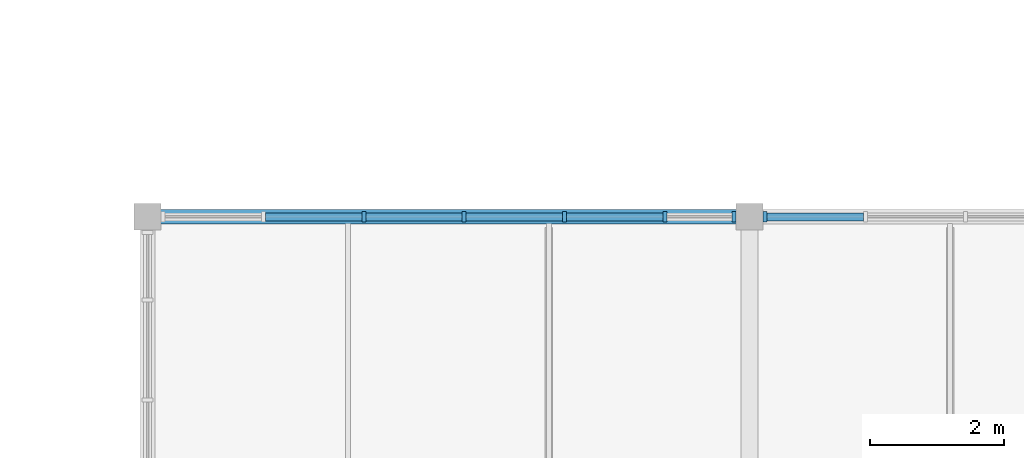
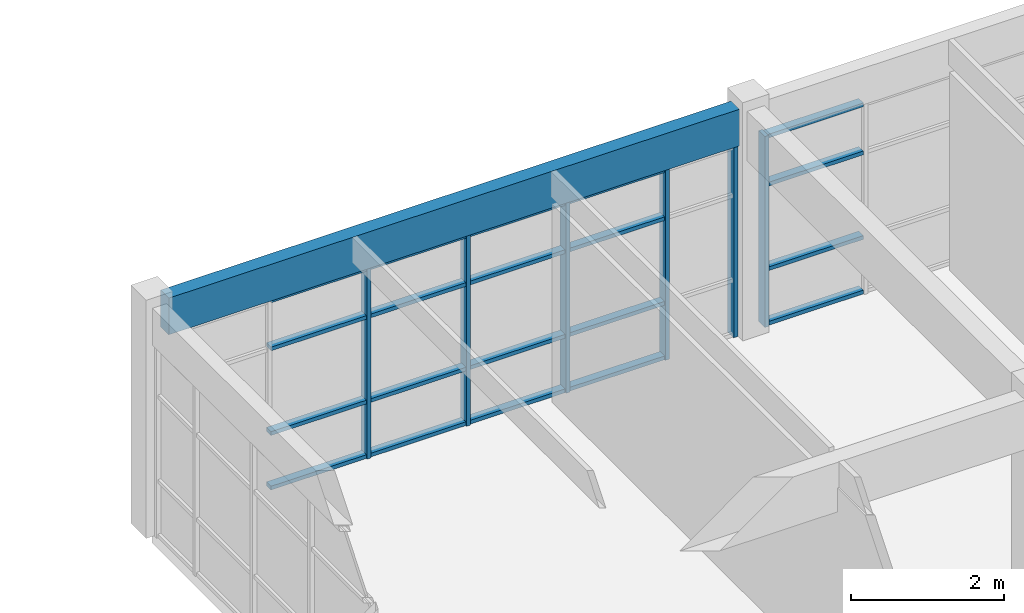
# One storey, part 29 of 81: 26 members, 1 beam, 2 elements without a shape of their own.
"""IFC4 building model written with IfcOpenShell, lengths in metres."""

from ifc_helpers import new_model, si_unit, direction, frame, origin, origin_2d, place, context, subcontext, project, spatial, rectangle, extrude, material, layer, layer_set, material_profile, profile_set, type_object, element, aggregate, save


model = new_model("IFC4")

# Units and contexts
model_context = context("Model", 3, precision=1e-05, world=origin(), true_north=direction((0.0, 1.0)))
body_context = subcontext(model_context, "Body", "Model", "MODEL_VIEW")
ifc_project = project(units=[si_unit("LENGTHUNIT", "METRE"), si_unit("AREAUNIT", "SQUARE_METRE"), si_unit("VOLUMEUNIT", "CUBIC_METRE"), si_unit("PLANEANGLEUNIT", "RADIAN"), si_unit("MASSUNIT", "GRAM", prefix="KILO")], contexts=[model_context])

# Site, building, storey
site_placement = place(None, origin())
site = spatial("IfcSite", under=ifc_project, at=site_placement, CompositionType="ELEMENT")
building_placement = place(site_placement, origin())
building = spatial("IfcBuilding", under=site, at=building_placement, Name="Marnridge Secondary College", CompositionType="ELEMENT")
storey_placement = place(building_placement, frame((0.0, 0.0, 8.5)))
storey = spatial("IfcBuildingStorey", under=building, at=storey_placement, Name="L02", CompositionType="ELEMENT", Elevation=8.5)

# Beam
ifc_material_1 = material(Name="Glulam timber GL18", Category="wood")
ifc_material_profile_1 = material_profile(ifc_material_1, rectangle(XDim=0.215087890625, YDim=0.5849609375, at=origin_2d()), Name="GL18 215x585")
ifc_profile_set_1 = profile_set([ifc_material_profile_1], Name="Glulam timber GL18")
beam_type = type_object("IfcBeamType", Name="BM-GL585-EXT", PredefinedType="SPANDREL", material=ifc_profile_set_1)
beam_placement = place(storey_placement, frame((54.194091796875, 82.5, 3.347412109375), z_axis=(1.0, 0.0, 0.0), x_axis=(0.0, 1.0, 0.0)))
element("IfcBeam", 1, at=beam_placement, inside=storey, type_object=beam_type, Name="Beam BS-L02-0805", PredefinedType="SPANDREL", context=body_context, shape_type="SweptSolid", body=[
    extrude(rectangle(XDim=0.215087890625, YDim=0.5849609375, at=origin_2d()), origin(), (0.0, 0.0, 1.0), 8.61181640625),
])

# Curtain wall, members
ifc_material_2 = material(Name="Thermally broken aluminium and low-E glazing", Category="aluminium")
ifc_layer = layer(ifc_material_2, 0.159912109375)
ifc_layer_set = layer_set([ifc_layer], Name="CW-MOD-1500")
curtain_wall_type = type_object("IfcCurtainWallType", Name="CW-MOD-1500", PredefinedType="NOTDEFINED", material=ifc_layer_set)
curtain_wall_1_placement = place(storey_placement, origin())
curtain_wall_1 = element("IfcCurtainWall", 2, at=curtain_wall_1_placement, inside=storey, type_object=curtain_wall_type, Name="Unitised curtain wall CW-L02-073", PredefinedType="NOTDEFINED")
ifc_material_3 = material(Name="Anodised aluminium 6063-T6", Category="aluminium")
ifc_material_profile_2 = material_profile(ifc_material_3, rectangle(XDim=0.06005859375, YDim=0.159912109375, at=origin_2d()), Name="ALU 60x160")
ifc_profile_set_2 = profile_set([ifc_material_profile_2], Name="Anodised aluminium 6063-T6")
member_type_1 = type_object("IfcMemberType", Name="CWM-ALU160", PredefinedType="MULLION", material=ifc_profile_set_2)
member_1_placement = place(storey_placement, frame((57.23388671875, 82.5, 0.0), z_axis=(0.0, 0.0, 1.0), x_axis=(1.0, 0.0, 0.0)))
member_1 = element("IfcMember", 3, at=member_1_placement, type_object=member_type_1, Name="CW-L02-073 mullion 3", PredefinedType="MULLION", context=body_context, shape_type="SweptSolid", body=[
    extrude(rectangle(XDim=0.06005859375, YDim=0.159912109375, at=origin_2d()), origin(), (0.0, 0.0, 1.0), 3.047119140625),
])
member_2_placement = place(storey_placement, frame((58.73388671875, 82.5, 0.0), z_axis=(0.0, 0.0, 1.0), x_axis=(1.0, 0.0, 0.0)))
member_2 = element("IfcMember", 4, at=member_2_placement, type_object=member_type_1, Name="CW-L02-073 mullion 4", PredefinedType="MULLION", context=body_context, shape_type="SweptSolid", body=[
    extrude(rectangle(XDim=0.06005859375, YDim=0.159912109375, at=origin_2d()), origin(), (0.0, 0.0, 1.0), 3.047119140625),
])
member_3_placement = place(storey_placement, frame((60.23388671875, 82.5, 0.0), z_axis=(0.0, 0.0, 1.0), x_axis=(1.0, 0.0, 0.0)))
member_3 = element("IfcMember", 5, at=member_3_placement, type_object=member_type_1, Name="CW-L02-073 mullion 5", PredefinedType="MULLION", context=body_context, shape_type="SweptSolid", body=[
    extrude(rectangle(XDim=0.06005859375, YDim=0.159912109375, at=origin_2d()), origin(), (0.0, 0.0, 1.0), 3.047119140625),
])
member_4_placement = place(storey_placement, frame((61.73388671875, 82.5, 0.0), z_axis=(0.0, 0.0, 1.0), x_axis=(1.0, 0.0, 0.0)))
member_4 = element("IfcMember", 6, at=member_4_placement, type_object=member_type_1, Name="CW-L02-073 mullion 6", PredefinedType="MULLION", context=body_context, shape_type="SweptSolid", body=[
    extrude(rectangle(XDim=0.06005859375, YDim=0.159912109375, at=origin_2d()), origin(), (0.0, 0.0, 1.0), 3.047119140625),
])
member_5_placement = place(storey_placement, frame((62.76611328125, 82.5, 0.0), z_axis=(0.0, 0.0, 1.0), x_axis=(1.0, 0.0, 0.0)))
member_5 = element("IfcMember", 7, at=member_5_placement, type_object=member_type_1, Name="CW-L02-073 mullion 7", PredefinedType="MULLION", context=body_context, shape_type="SweptSolid", body=[
    extrude(rectangle(XDim=0.06005859375, YDim=0.159912109375, at=origin_2d()), origin(), (0.0, 0.0, 1.0), 3.047119140625),
])

# Curtain wall, member
curtain_wall_2_placement = place(storey_placement, origin())
curtain_wall_2 = element("IfcCurtainWall", 8, at=curtain_wall_2_placement, inside=storey, type_object=curtain_wall_type, Name="Unitised curtain wall CW-L02-074", PredefinedType="NOTDEFINED")
member_6_placement = place(storey_placement, frame((63.23388671875, 82.5, 0.0), z_axis=(0.0, 0.0, 1.0), x_axis=(1.0, 0.0, 0.0)))
member_6 = element("IfcMember", 9, at=member_6_placement, type_object=member_type_1, Name="CW-L02-074 mullion 1", PredefinedType="MULLION", context=body_context, shape_type="SweptSolid", body=[
    extrude(rectangle(XDim=0.06005859375, YDim=0.159912109375, at=origin_2d()), origin(), (0.0, 0.0, 1.0), 3.047119140625),
])

# Member
ifc_material_4 = material(Name="Anodised aluminium 6063-T6", Category="aluminium")
ifc_material_profile_3 = material_profile(ifc_material_4, rectangle(XDim=0.06005859375, YDim=0.1201171875, at=origin_2d()), Name="ALU 60x120")
ifc_profile_set_3 = profile_set([ifc_material_profile_3], Name="Anodised aluminium 6063-T6")
member_type_2 = type_object("IfcMemberType", Name="CWT-ALU120", PredefinedType="USERDEFINED", material=ifc_profile_set_3)
member_7_placement = place(storey_placement, frame((55.763916015625, 82.5, 0.030029296875), z_axis=(1.0, 0.0, 0.0), x_axis=(0.0, 0.0, 1.0)))
member_7 = element("IfcMember", 10, at=member_7_placement, type_object=member_type_2, Name="CW-L02-073 transom 2.1", ObjectType="TRANSOM", PredefinedType="USERDEFINED", context=body_context, shape_type="SweptSolid", body=[
    extrude(rectangle(XDim=0.06005859375, YDim=0.1201171875, at=origin_2d()), origin(), (0.0, 0.0, 1.0), 1.440185546875),
])

member_8_placement = place(storey_placement, frame((55.763916015625, 82.5, 0.89990234375), z_axis=(1.0, 0.0, 0.0), x_axis=(0.0, 0.0, 1.0)))
member_8 = element("IfcMember", 11, at=member_8_placement, type_object=member_type_2, Name="CW-L02-073 transom 2.2", ObjectType="TRANSOM", PredefinedType="USERDEFINED", context=body_context, shape_type="SweptSolid", body=[
    extrude(rectangle(XDim=0.06005859375, YDim=0.1201171875, at=origin_2d()), origin(), (0.0, 0.0, 1.0), 1.440185546875),
])

member_9_placement = place(storey_placement, frame((55.763916015625, 82.5, 2.25), z_axis=(1.0, 0.0, 0.0), x_axis=(0.0, 0.0, 1.0)))
member_9 = element("IfcMember", 12, at=member_9_placement, type_object=member_type_2, Name="CW-L02-073 transom 2.3", ObjectType="TRANSOM", PredefinedType="USERDEFINED", context=body_context, shape_type="SweptSolid", body=[
    extrude(rectangle(XDim=0.06005859375, YDim=0.1201171875, at=origin_2d()), origin(), (0.0, 0.0, 1.0), 1.440185546875),
])

member_10_placement = place(storey_placement, frame((55.763916015625, 82.5, 3.01708984375), z_axis=(1.0, 0.0, 0.0), x_axis=(0.0, 0.0, 1.0)))
member_10 = element("IfcMember", 13, at=member_10_placement, type_object=member_type_2, Name="CW-L02-073 transom 2.4", ObjectType="TRANSOM", PredefinedType="USERDEFINED", context=body_context, shape_type="SweptSolid", body=[
    extrude(rectangle(XDim=0.06005859375, YDim=0.1201171875, at=origin_2d()), origin(), (0.0, 0.0, 1.0), 1.440185546875),
])

member_11_placement = place(storey_placement, frame((57.263916015625, 82.5, 0.030029296875), z_axis=(1.0, 0.0, 0.0), x_axis=(0.0, 0.0, 1.0)))
member_11 = element("IfcMember", 14, at=member_11_placement, type_object=member_type_2, Name="CW-L02-073 transom 3.1", ObjectType="TRANSOM", PredefinedType="USERDEFINED", context=body_context, shape_type="SweptSolid", body=[
    extrude(rectangle(XDim=0.06005859375, YDim=0.1201171875, at=origin_2d()), origin(), (0.0, 0.0, 1.0), 1.440185546875),
])

member_12_placement = place(storey_placement, frame((57.263916015625, 82.5, 0.89990234375), z_axis=(1.0, 0.0, 0.0), x_axis=(0.0, 0.0, 1.0)))
member_12 = element("IfcMember", 15, at=member_12_placement, type_object=member_type_2, Name="CW-L02-073 transom 3.2", ObjectType="TRANSOM", PredefinedType="USERDEFINED", context=body_context, shape_type="SweptSolid", body=[
    extrude(rectangle(XDim=0.06005859375, YDim=0.1201171875, at=origin_2d()), origin(), (0.0, 0.0, 1.0), 1.440185546875),
])

member_13_placement = place(storey_placement, frame((57.263916015625, 82.5, 2.25), z_axis=(1.0, 0.0, 0.0), x_axis=(0.0, 0.0, 1.0)))
member_13 = element("IfcMember", 16, at=member_13_placement, type_object=member_type_2, Name="CW-L02-073 transom 3.3", ObjectType="TRANSOM", PredefinedType="USERDEFINED", context=body_context, shape_type="SweptSolid", body=[
    extrude(rectangle(XDim=0.06005859375, YDim=0.1201171875, at=origin_2d()), origin(), (0.0, 0.0, 1.0), 1.440185546875),
])

member_14_placement = place(storey_placement, frame((57.263916015625, 82.5, 3.01708984375), z_axis=(1.0, 0.0, 0.0), x_axis=(0.0, 0.0, 1.0)))
member_14 = element("IfcMember", 17, at=member_14_placement, type_object=member_type_2, Name="CW-L02-073 transom 3.4", ObjectType="TRANSOM", PredefinedType="USERDEFINED", context=body_context, shape_type="SweptSolid", body=[
    extrude(rectangle(XDim=0.06005859375, YDim=0.1201171875, at=origin_2d()), origin(), (0.0, 0.0, 1.0), 1.440185546875),
])

member_15_placement = place(storey_placement, frame((58.763916015625, 82.5, 0.030029296875), z_axis=(1.0, 0.0, 0.0), x_axis=(0.0, 0.0, 1.0)))
member_15 = element("IfcMember", 18, at=member_15_placement, type_object=member_type_2, Name="CW-L02-073 transom 4.1", ObjectType="TRANSOM", PredefinedType="USERDEFINED", context=body_context, shape_type="SweptSolid", body=[
    extrude(rectangle(XDim=0.06005859375, YDim=0.1201171875, at=origin_2d()), origin(), (0.0, 0.0, 1.0), 1.440185546875),
])

member_16_placement = place(storey_placement, frame((58.763916015625, 82.5, 0.89990234375), z_axis=(1.0, 0.0, 0.0), x_axis=(0.0, 0.0, 1.0)))
member_16 = element("IfcMember", 19, at=member_16_placement, type_object=member_type_2, Name="CW-L02-073 transom 4.2", ObjectType="TRANSOM", PredefinedType="USERDEFINED", context=body_context, shape_type="SweptSolid", body=[
    extrude(rectangle(XDim=0.06005859375, YDim=0.1201171875, at=origin_2d()), origin(), (0.0, 0.0, 1.0), 1.440185546875),
])

member_17_placement = place(storey_placement, frame((58.763916015625, 82.5, 2.25), z_axis=(1.0, 0.0, 0.0), x_axis=(0.0, 0.0, 1.0)))
member_17 = element("IfcMember", 20, at=member_17_placement, type_object=member_type_2, Name="CW-L02-073 transom 4.3", ObjectType="TRANSOM", PredefinedType="USERDEFINED", context=body_context, shape_type="SweptSolid", body=[
    extrude(rectangle(XDim=0.06005859375, YDim=0.1201171875, at=origin_2d()), origin(), (0.0, 0.0, 1.0), 1.440185546875),
])

member_18_placement = place(storey_placement, frame((58.763916015625, 82.5, 3.01708984375), z_axis=(1.0, 0.0, 0.0), x_axis=(0.0, 0.0, 1.0)))
member_18 = element("IfcMember", 21, at=member_18_placement, type_object=member_type_2, Name="CW-L02-073 transom 4.4", ObjectType="TRANSOM", PredefinedType="USERDEFINED", context=body_context, shape_type="SweptSolid", body=[
    extrude(rectangle(XDim=0.06005859375, YDim=0.1201171875, at=origin_2d()), origin(), (0.0, 0.0, 1.0), 1.440185546875),
])

member_19_placement = place(storey_placement, frame((60.263916015625, 82.5, 0.030029296875), z_axis=(1.0, 0.0, 0.0), x_axis=(0.0, 0.0, 1.0)))
member_19 = element("IfcMember", 22, at=member_19_placement, type_object=member_type_2, Name="CW-L02-073 transom 5.1", ObjectType="TRANSOM", PredefinedType="USERDEFINED", context=body_context, shape_type="SweptSolid", body=[
    extrude(rectangle(XDim=0.06005859375, YDim=0.1201171875, at=origin_2d()), origin(), (0.0, 0.0, 1.0), 1.440185546875),
])

member_20_placement = place(storey_placement, frame((60.263916015625, 82.5, 0.89990234375), z_axis=(1.0, 0.0, 0.0), x_axis=(0.0, 0.0, 1.0)))
member_20 = element("IfcMember", 23, at=member_20_placement, type_object=member_type_2, Name="CW-L02-073 transom 5.2", ObjectType="TRANSOM", PredefinedType="USERDEFINED", context=body_context, shape_type="SweptSolid", body=[
    extrude(rectangle(XDim=0.06005859375, YDim=0.1201171875, at=origin_2d()), origin(), (0.0, 0.0, 1.0), 1.440185546875),
])

member_21_placement = place(storey_placement, frame((60.263916015625, 82.5, 2.25), z_axis=(1.0, 0.0, 0.0), x_axis=(0.0, 0.0, 1.0)))
member_21 = element("IfcMember", 24, at=member_21_placement, type_object=member_type_2, Name="CW-L02-073 transom 5.3", ObjectType="TRANSOM", PredefinedType="USERDEFINED", context=body_context, shape_type="SweptSolid", body=[
    extrude(rectangle(XDim=0.06005859375, YDim=0.1201171875, at=origin_2d()), origin(), (0.0, 0.0, 1.0), 1.440185546875),
])

member_22_placement = place(storey_placement, frame((60.263916015625, 82.5, 3.01708984375), z_axis=(1.0, 0.0, 0.0), x_axis=(0.0, 0.0, 1.0)))
member_22 = element("IfcMember", 25, at=member_22_placement, type_object=member_type_2, Name="CW-L02-073 transom 5.4", ObjectType="TRANSOM", PredefinedType="USERDEFINED", context=body_context, shape_type="SweptSolid", body=[
    extrude(rectangle(XDim=0.06005859375, YDim=0.1201171875, at=origin_2d()), origin(), (0.0, 0.0, 1.0), 1.440185546875),
])

aggregate(curtain_wall_1, [member_1, member_2, member_3, member_4, member_5, member_7, member_8, member_9, member_10, member_11, member_12, member_13, member_14, member_15, member_16, member_17, member_18, member_19, member_20, member_21, member_22])

member_23_placement = place(storey_placement, frame((63.263916015625, 82.5, 0.030029296875), z_axis=(1.0, 0.0, 0.0), x_axis=(0.0, 0.0, 1.0)))
member_23 = element("IfcMember", 26, at=member_23_placement, type_object=member_type_2, Name="CW-L02-074 transom 1.1", ObjectType="TRANSOM", PredefinedType="USERDEFINED", context=body_context, shape_type="SweptSolid", body=[
    extrude(rectangle(XDim=0.06005859375, YDim=0.1201171875, at=origin_2d()), origin(), (0.0, 0.0, 1.0), 1.440185546875),
])

member_24_placement = place(storey_placement, frame((63.263916015625, 82.5, 0.89990234375), z_axis=(1.0, 0.0, 0.0), x_axis=(0.0, 0.0, 1.0)))
member_24 = element("IfcMember", 27, at=member_24_placement, type_object=member_type_2, Name="CW-L02-074 transom 1.2", ObjectType="TRANSOM", PredefinedType="USERDEFINED", context=body_context, shape_type="SweptSolid", body=[
    extrude(rectangle(XDim=0.06005859375, YDim=0.1201171875, at=origin_2d()), origin(), (0.0, 0.0, 1.0), 1.440185546875),
])

member_25_placement = place(storey_placement, frame((63.263916015625, 82.5, 2.25), z_axis=(1.0, 0.0, 0.0), x_axis=(0.0, 0.0, 1.0)))
member_25 = element("IfcMember", 28, at=member_25_placement, type_object=member_type_2, Name="CW-L02-074 transom 1.3", ObjectType="TRANSOM", PredefinedType="USERDEFINED", context=body_context, shape_type="SweptSolid", body=[
    extrude(rectangle(XDim=0.06005859375, YDim=0.1201171875, at=origin_2d()), origin(), (0.0, 0.0, 1.0), 1.440185546875),
])

member_26_placement = place(storey_placement, frame((63.263916015625, 82.5, 3.01708984375), z_axis=(1.0, 0.0, 0.0), x_axis=(0.0, 0.0, 1.0)))
member_26 = element("IfcMember", 29, at=member_26_placement, type_object=member_type_2, Name="CW-L02-074 transom 1.4", ObjectType="TRANSOM", PredefinedType="USERDEFINED", context=body_context, shape_type="SweptSolid", body=[
    extrude(rectangle(XDim=0.06005859375, YDim=0.1201171875, at=origin_2d()), origin(), (0.0, 0.0, 1.0), 1.440185546875),
])

aggregate(curtain_wall_2, [member_6, member_23, member_24, member_25, member_26])

save(model, "model.ifc")
